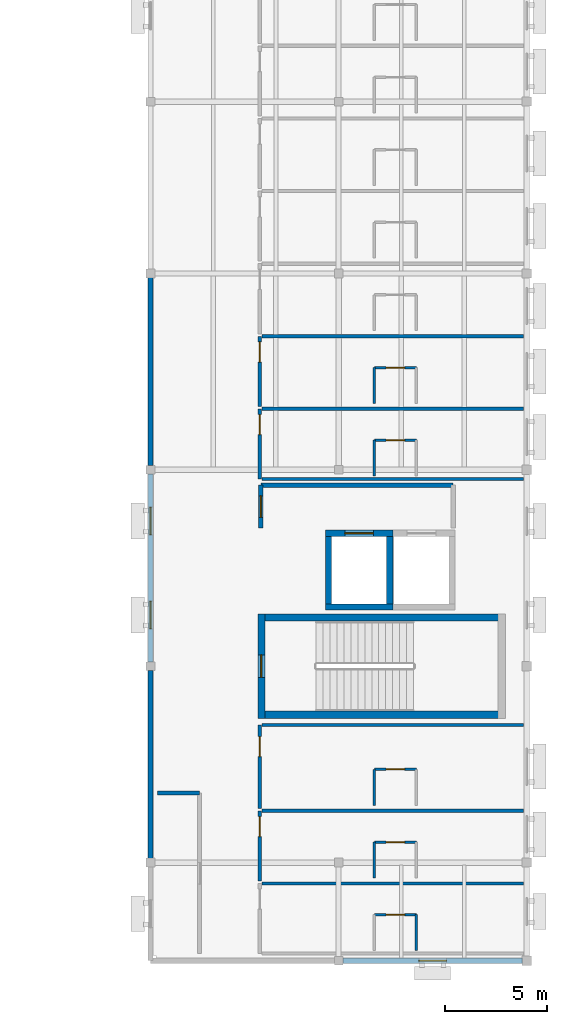
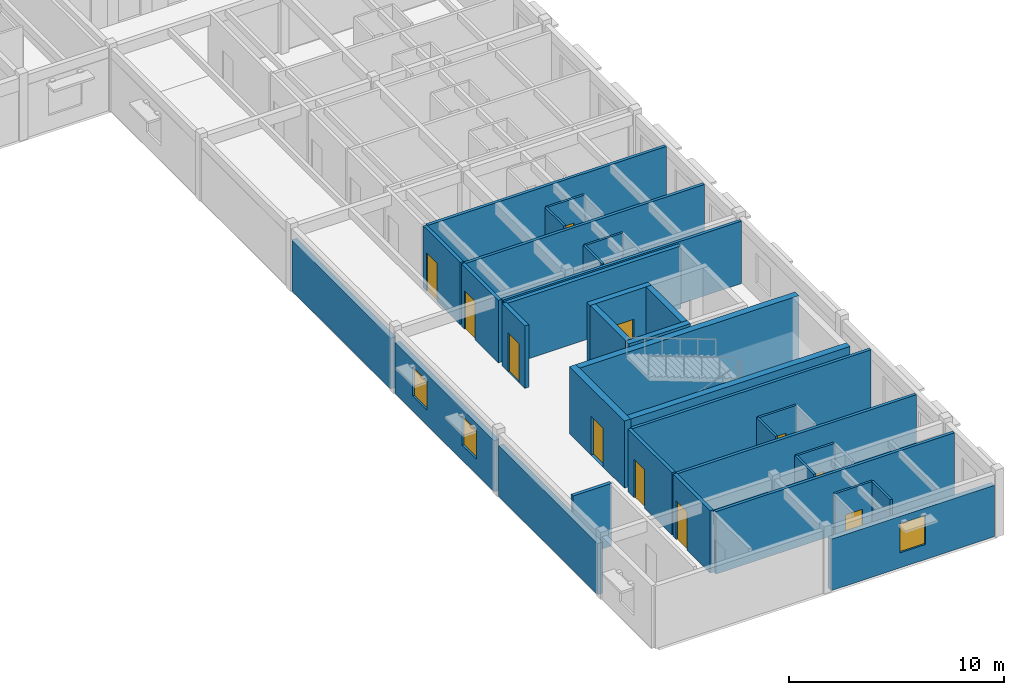
# One storey, part 5 of 14: 34 walls, 12 doors, 3 windows, 15 openings.
"""IFC4 building model written with IfcOpenShell, lengths in metres."""

from ifc_helpers import new_model, si_unit, direction, frame, frame_2d, origin, place, context, subcontext, project, spatial, rectangle, extrude, material, layer, layer_set, type_object, element, fill, save


model = new_model("IFC4")

# Units and contexts
model_context = context("Model", 3, precision=1e-05, world=origin(), true_north=direction((0.0, 1.0)))
body_context = subcontext(model_context, "Body", "Model", "MODEL_VIEW")
ifc_project = project(units=[si_unit("LENGTHUNIT", "METRE"), si_unit("AREAUNIT", "SQUARE_METRE"), si_unit("VOLUMEUNIT", "CUBIC_METRE"), si_unit("PLANEANGLEUNIT", "RADIAN"), si_unit("MASSUNIT", "GRAM", prefix="KILO")], contexts=[model_context])

# Site, building, storey
site_placement = place(None, origin())
site = spatial("IfcSite", under=ifc_project, at=site_placement, CompositionType="ELEMENT")
building_placement = place(site_placement, origin())
building = spatial("IfcBuilding", under=site, at=building_placement, Name="Veldera Park Congress Hotel", CompositionType="ELEMENT")
storey_placement = place(building_placement, frame((0.0, 0.0, 42.800048828125)))
storey = spatial("IfcBuildingStorey", under=building, at=storey_placement, Name="L10", CompositionType="ELEMENT", Elevation=42.800048828125)

# Wall, opening, window
ifc_material_1 = material(Name="Cross-laminated timber CLT V2M1.1", Category="wood")
ifc_layer_1 = layer(ifc_material_1, 0.264892578125)
ifc_layer_set_1 = layer_set([ifc_layer_1], Name="Cross-laminated timber CLT V2M1.1")
wall_type_1 = type_object("IfcWallType", Name="EW-CLT265", PredefinedType="STANDARD", material=ifc_layer_set_1)
wall_1_placement = place(storey_placement, frame((75.008056640625, -23.39990234375, 0.0), z_axis=(0.0, 0.0, 1.0), x_axis=(1.0, 0.0, 0.0)))
wall_1 = element("IfcWall", 1, at=wall_1_placement, inside=storey, type_object=wall_type_1, Name="L10 Exterior Wall EW3-L10-0424", PredefinedType="STANDARD", context=body_context, shape_type="SweptSolid", body=[
    extrude(rectangle(XDim=8.76904296875, YDim=0.264892578125, at=frame_2d((4.384521484375, 0.0))), origin(), (0.0, 0.0, 1.0), 2.9150390625),
])
opening_1_placement = place(wall_1_placement, frame((3.70947265625, 0.0, 0.85009765625)))
opening_1 = element("IfcOpeningElement", 2, at=opening_1_placement, cuts=wall_1, Name="Opening WIN-1350", PredefinedType="OPENING", context=body_context, shape_type="SweptSolid", body=[
    extrude(rectangle(XDim=1.35009765625, YDim=1.64990234375, at=frame_2d((0.675048828125, 0.824951171875))), frame((0.0, 0.14453125, 0.0), z_axis=(0.0, -1.0, 0.0), x_axis=(1.0, 0.0, 0.0)), (0.0, 0.0, 1.0), 0.288818359375),
])
ifc_material_2 = material(Name="Low-E Triple Insulating Glass Unit (SHGC 0.22)", Category="glass")
window_type = type_object("IfcWindowType", Name="WIN-1350", PartitioningType="SINGLE_PANEL", PredefinedType="WINDOW", material=ifc_material_2)
window_1_placement = place(opening_1_placement, origin())
window_1 = element("IfcWindow", 3, at=window_1_placement, inside=storey, type_object=window_type, Name="L10 Window WIN-1350 326", OverallHeight=1.64990234375, OverallWidth=1.35009765625, PartitioningType="SINGLE_PANEL", PredefinedType="WINDOW", context=body_context, shape_type="SweptSolid", body=[
    extrude(rectangle(XDim=1.35009765625, YDim=1.64990234375, at=frame_2d((0.675048828125, 0.824951171875))), frame((0.0, 0.030029296875, 0.0), z_axis=(0.0, -1.0, 0.0), x_axis=(1.0, 0.0, 0.0)), (0.0, 0.0, 1.0), 0.06005859375),
])
fill(opening_1, window_1)

# Wall
wall_2_placement = place(storey_placement, frame((65.60009765625, 9.991943359375, 0.0), z_axis=(0.0, 0.0, 1.0), x_axis=(0.0, -1.0, 0.0)))
element("IfcWall", 4, at=wall_2_placement, inside=storey, type_object=wall_type_1, Name="L10 Exterior Wall EW3-L10-0445", PredefinedType="STANDARD", context=body_context, shape_type="SweptSolid", body=[
    extrude(rectangle(XDim=9.183837890625, YDim=0.264892578125, at=frame_2d((4.591796875, 0.0))), origin(), (0.0, 0.0, 1.0), 2.89501953125),
])

# Wall, openings, windows
wall_3_placement = place(storey_placement, frame((65.60009765625, 0.39208984375, 0.0), z_axis=(0.0, 0.0, 1.0), x_axis=(0.0, -1.0, 0.0)))
wall_3 = element("IfcWall", 5, at=wall_3_placement, inside=storey, type_object=wall_type_1, Name="L10 Exterior Wall EW3-L10-0446", PredefinedType="STANDARD", context=body_context, shape_type="SweptSolid", body=[
    extrude(rectangle(XDim=9.18408203125, YDim=0.264892578125, at=frame_2d((4.592041015625, 0.0))), origin(), (0.0, 0.0, 1.0), 2.89501953125),
])
opening_2_placement = place(wall_3_placement, frame((1.62109375, 0.0, 0.85009765625)))
opening_2 = element("IfcOpeningElement", 6, at=opening_2_placement, cuts=wall_3, Name="Opening WIN-1350", PredefinedType="OPENING", context=body_context, shape_type="SweptSolid", body=[
    extrude(rectangle(XDim=1.35009765625, YDim=1.64990234375, at=frame_2d((0.675048828125, 0.824951171875))), frame((0.0, 0.14453125, 0.0), z_axis=(0.0, -1.0, 0.0), x_axis=(1.0, 0.0, 0.0)), (0.0, 0.0, 1.0), 0.288818359375),
])
opening_3_placement = place(wall_3_placement, frame((6.212890625, 0.0, 0.85009765625)))
opening_3 = element("IfcOpeningElement", 7, at=opening_3_placement, cuts=wall_3, Name="Opening WIN-1350", PredefinedType="OPENING", context=body_context, shape_type="SweptSolid", body=[
    extrude(rectangle(XDim=1.35009765625, YDim=1.64990234375, at=frame_2d((0.675048828125, 0.824951171875))), frame((0.0, 0.14453125, 0.0), z_axis=(0.0, -1.0, 0.0), x_axis=(1.0, 0.0, 0.0)), (0.0, 0.0, 1.0), 0.288818359375),
])
window_2_placement = place(opening_2_placement, origin())
window_2 = element("IfcWindow", 8, at=window_2_placement, inside=storey, type_object=window_type, Name="L10 Window WIN-1350 340", OverallHeight=1.64990234375, OverallWidth=1.35009765625, PartitioningType="SINGLE_PANEL", PredefinedType="WINDOW", context=body_context, shape_type="SweptSolid", body=[
    extrude(rectangle(XDim=1.35009765625, YDim=1.64990234375, at=frame_2d((0.675048828125, 0.824951171875))), frame((0.0, 0.030029296875, 0.0), z_axis=(0.0, -1.0, 0.0), x_axis=(1.0, 0.0, 0.0)), (0.0, 0.0, 1.0), 0.06005859375),
])
fill(opening_2, window_2)
window_3_placement = place(opening_3_placement, origin())
window_3 = element("IfcWindow", 9, at=window_3_placement, inside=storey, type_object=window_type, Name="L10 Window WIN-1350 341", OverallHeight=1.64990234375, OverallWidth=1.35009765625, PartitioningType="SINGLE_PANEL", PredefinedType="WINDOW", context=body_context, shape_type="SweptSolid", body=[
    extrude(rectangle(XDim=1.35009765625, YDim=1.64990234375, at=frame_2d((0.675048828125, 0.824951171875))), frame((0.0, 0.030029296875, 0.0), z_axis=(0.0, -1.0, 0.0), x_axis=(1.0, 0.0, 0.0)), (0.0, 0.0, 1.0), 0.06005859375),
])
fill(opening_3, window_3)

# Walls
wall_4_placement = place(storey_placement, frame((65.60009765625, -9.2080078125, 0.0), z_axis=(0.0, 0.0, 1.0), x_axis=(0.0, -1.0, 0.0)))
element("IfcWall", 10, at=wall_4_placement, inside=storey, type_object=wall_type_1, Name="L10 Exterior Wall EW3-L10-0447", PredefinedType="STANDARD", context=body_context, shape_type="SweptSolid", body=[
    extrude(rectangle(XDim=9.18408203125, YDim=0.264892578125, at=frame_2d((4.592041015625, 0.0))), origin(), (0.0, 0.0, 1.0), 2.89501953125),
])
ifc_material_3 = material(Name="Fire-Rated Gypsum Board on Cold-Formed Steel Studs", Category="steel")
ifc_layer_2 = layer(ifc_material_3, 0.1201171875)
ifc_layer_set_2 = layer_set([ifc_layer_2], Name="Fire-Rated Gypsum Board on Cold-Formed Steel Studs")
wall_type_2 = type_object("IfcWallType", Name="IW-BATH120", PredefinedType="PARTITIONING", material=ifc_layer_set_2)
wall_5_placement = place(storey_placement, frame((78.60009765625, -22.89990234375, 0.0), z_axis=(0.0, 0.0, 1.0), x_axis=(0.0, 1.0, 0.0)))
element("IfcWall", 11, at=wall_5_placement, inside=storey, type_object=wall_type_2, Name="L10 Partition Wall IW3-L10-01692", PredefinedType="PARTITIONING", context=body_context, shape_type="SweptSolid", body=[
    extrude(rectangle(XDim=1.75, YDim=0.1201171875, at=frame_2d((0.875, 0.0))), origin(), (0.0, 0.0, 1.0), 3.5400390625),
])

# Wall, opening, door
wall_6_placement = place(storey_placement, frame((76.550048828125, -21.14990234375, 0.0), z_axis=(0.0, 0.0, 1.0), x_axis=(1.0, 0.0, 0.0)))
wall_6 = element("IfcWall", 12, at=wall_6_placement, inside=storey, type_object=wall_type_2, Name="L10 Partition Wall IW3-L10-01693", PredefinedType="PARTITIONING", context=body_context, shape_type="SweptSolid", body=[
    extrude(rectangle(XDim=2.050048828125, YDim=0.1201171875, at=frame_2d((1.02490234375, 0.0))), origin(), (0.0, 0.0, 1.0), 3.5400390625),
])
opening_4_placement = place(wall_6_placement, frame((0.574951171875, 0.0, 0.0)))
opening_4 = element("IfcOpeningElement", 13, at=opening_4_placement, cuts=wall_6, Name="Opening ID-BATH090", PredefinedType="OPENING", context=body_context, shape_type="SweptSolid", body=[
    extrude(rectangle(XDim=0.89990234375, YDim=2.14990234375, at=frame_2d((0.449951171875, 1.074951171875))), frame((0.0, 0.072021484375, 0.0), z_axis=(0.0, -1.0, 0.0), x_axis=(1.0, 0.0, 0.0)), (0.0, 0.0, 1.0), 0.14404296875),
])
ifc_material_4 = material(Name="Solid Core White Oak Architectural Door", Category="wood")
door_type_1 = type_object("IfcDoorType", Name="ID-BATH090", OperationType="NOTDEFINED", PredefinedType="DOOR", material=ifc_material_4)
door_1_placement = place(opening_4_placement, origin())
door_1 = element("IfcDoor", 14, at=door_1_placement, inside=storey, type_object=door_type_1, Name="L10 En-suite 278 Door ID3-L10-0695 (DR3-ID3-L10-0695)", OperationType="SINGLE_SWING_LEFT", OverallHeight=2.14990234375, OverallWidth=0.89990234375, PredefinedType="DOOR", context=body_context, shape_type="SweptSolid", body=[
    extrude(rectangle(XDim=0.89990234375, YDim=2.14990234375, at=frame_2d((0.449951171875, 1.074951171875))), frame((0.0, 0.02490234375, 0.0), z_axis=(0.0, -1.0, 0.0), x_axis=(1.0, 0.0, 0.0)), (0.0, 0.0, 1.0), 0.050048828125),
])
fill(opening_4, door_1)

# Wall
wall_7_placement = place(storey_placement, frame((76.550048828125, -19.35009765625, 0.0), z_axis=(0.0, 0.0, 1.0), x_axis=(0.0, 1.0, 0.0)))
element("IfcWall", 15, at=wall_7_placement, inside=storey, type_object=wall_type_2, Name="L10 Partition Wall IW3-L10-01696", PredefinedType="PARTITIONING", context=body_context, shape_type="SweptSolid", body=[
    extrude(rectangle(XDim=1.75, YDim=0.1201171875, at=frame_2d((0.875, 0.0))), origin(), (0.0, 0.0, 1.0), 3.5400390625),
])

# Wall, opening, door
wall_8_placement = place(storey_placement, frame((76.550048828125, -17.60009765625, 0.0), z_axis=(0.0, 0.0, 1.0), x_axis=(1.0, 0.0, 0.0)))
wall_8 = element("IfcWall", 16, at=wall_8_placement, inside=storey, type_object=wall_type_2, Name="L10 Partition Wall IW3-L10-01698", PredefinedType="PARTITIONING", context=body_context, shape_type="SweptSolid", body=[
    extrude(rectangle(XDim=2.050048828125, YDim=0.1201171875, at=frame_2d((1.02490234375, 0.0))), origin(), (0.0, 0.0, 1.0), 3.5400390625),
])
opening_5_placement = place(wall_8_placement, frame((0.574951171875, 0.0, 0.0)))
opening_5 = element("IfcOpeningElement", 17, at=opening_5_placement, cuts=wall_8, Name="Opening ID-BATH090", PredefinedType="OPENING", context=body_context, shape_type="SweptSolid", body=[
    extrude(rectangle(XDim=0.89990234375, YDim=2.14990234375, at=frame_2d((0.449951171875, 1.074951171875))), frame((0.0, 0.072021484375, 0.0), z_axis=(0.0, -1.0, 0.0), x_axis=(1.0, 0.0, 0.0)), (0.0, 0.0, 1.0), 0.14404296875),
])
door_2_placement = place(opening_5_placement, origin())
door_2 = element("IfcDoor", 18, at=door_2_placement, inside=storey, type_object=door_type_1, Name="L10 En-suite 279 Door ID3-L10-0697 (DR3-ID3-L10-0697)", OperationType="SINGLE_SWING_LEFT", OverallHeight=2.14990234375, OverallWidth=0.89990234375, PredefinedType="DOOR", context=body_context, shape_type="SweptSolid", body=[
    extrude(rectangle(XDim=0.89990234375, YDim=2.14990234375, at=frame_2d((0.449951171875, 1.074951171875))), frame((0.0, 0.02490234375, 0.0), z_axis=(0.0, -1.0, 0.0), x_axis=(1.0, 0.0, 0.0)), (0.0, 0.0, 1.0), 0.050048828125),
])
fill(opening_5, door_2)

# Wall
wall_9_placement = place(storey_placement, frame((76.550048828125, -15.800048828125, 0.0), z_axis=(0.0, 0.0, 1.0), x_axis=(0.0, 1.0, 0.0)))
element("IfcWall", 19, at=wall_9_placement, inside=storey, type_object=wall_type_2, Name="L10 Partition Wall IW3-L10-01701", PredefinedType="PARTITIONING", context=body_context, shape_type="SweptSolid", body=[
    extrude(rectangle(XDim=1.75, YDim=0.1201171875, at=frame_2d((0.875, 0.0))), origin(), (0.0, 0.0, 1.0), 3.5400390625),
])

# Wall, opening, door
wall_10_placement = place(storey_placement, frame((76.550048828125, -14.050048828125, 0.0), z_axis=(0.0, 0.0, 1.0), x_axis=(1.0, 0.0, 0.0)))
wall_10 = element("IfcWall", 20, at=wall_10_placement, inside=storey, type_object=wall_type_2, Name="L10 Partition Wall IW3-L10-01703", PredefinedType="PARTITIONING", context=body_context, shape_type="SweptSolid", body=[
    extrude(rectangle(XDim=2.050048828125, YDim=0.1201171875, at=frame_2d((1.02490234375, 0.0))), origin(), (0.0, 0.0, 1.0), 3.5400390625),
])
opening_6_placement = place(wall_10_placement, frame((0.574951171875, 0.0, 0.0)))
opening_6 = element("IfcOpeningElement", 21, at=opening_6_placement, cuts=wall_10, Name="Opening ID-BATH090", PredefinedType="OPENING", context=body_context, shape_type="SweptSolid", body=[
    extrude(rectangle(XDim=0.89990234375, YDim=2.14990234375, at=frame_2d((0.449951171875, 1.074951171875))), frame((0.0, 0.072021484375, 0.0), z_axis=(0.0, -1.0, 0.0), x_axis=(1.0, 0.0, 0.0)), (0.0, 0.0, 1.0), 0.14404296875),
])
door_3_placement = place(opening_6_placement, origin())
door_3 = element("IfcDoor", 22, at=door_3_placement, inside=storey, type_object=door_type_1, Name="L10 En-suite 280 Door ID3-L10-0699 (DR3-ID3-L10-0699)", OperationType="SINGLE_SWING_LEFT", OverallHeight=2.14990234375, OverallWidth=0.89990234375, PredefinedType="DOOR", context=body_context, shape_type="SweptSolid", body=[
    extrude(rectangle(XDim=0.89990234375, YDim=2.14990234375, at=frame_2d((0.449951171875, 1.074951171875))), frame((0.0, 0.02490234375, 0.0), z_axis=(0.0, -1.0, 0.0), x_axis=(1.0, 0.0, 0.0)), (0.0, 0.0, 1.0), 0.050048828125),
])
fill(opening_6, door_3)

# Wall
wall_11_placement = place(storey_placement, frame((76.550048828125, 0.300048828125, 0.0), z_axis=(0.0, 0.0, 1.0), x_axis=(0.0, 1.0, 0.0)))
element("IfcWall", 23, at=wall_11_placement, inside=storey, type_object=wall_type_2, Name="L10 Partition Wall IW3-L10-01707", PredefinedType="PARTITIONING", context=body_context, shape_type="SweptSolid", body=[
    extrude(rectangle(XDim=1.75, YDim=0.1201171875, at=frame_2d((0.875, 0.0))), origin(), (0.0, 0.0, 1.0), 3.5400390625),
])

# Wall, opening, door
wall_12_placement = place(storey_placement, frame((76.550048828125, 2.050048828125, 0.0), z_axis=(0.0, 0.0, 1.0), x_axis=(1.0, 0.0, 0.0)))
wall_12 = element("IfcWall", 24, at=wall_12_placement, inside=storey, type_object=wall_type_2, Name="L10 Partition Wall IW3-L10-01709", PredefinedType="PARTITIONING", context=body_context, shape_type="SweptSolid", body=[
    extrude(rectangle(XDim=2.050048828125, YDim=0.1201171875, at=frame_2d((1.02490234375, 0.0))), origin(), (0.0, 0.0, 1.0), 3.5400390625),
])
opening_7_placement = place(wall_12_placement, frame((0.574951171875, 0.0, 0.0)))
opening_7 = element("IfcOpeningElement", 25, at=opening_7_placement, cuts=wall_12, Name="Opening ID-BATH090", PredefinedType="OPENING", context=body_context, shape_type="SweptSolid", body=[
    extrude(rectangle(XDim=0.89990234375, YDim=2.14990234375, at=frame_2d((0.449951171875, 1.074951171875))), frame((0.0, 0.072021484375, 0.0), z_axis=(0.0, -1.0, 0.0), x_axis=(1.0, 0.0, 0.0)), (0.0, 0.0, 1.0), 0.14404296875),
])
door_4_placement = place(opening_7_placement, origin())
door_4 = element("IfcDoor", 26, at=door_4_placement, inside=storey, type_object=door_type_1, Name="L10 En-suite 281 Door ID3-L10-0701 (DR3-ID3-L10-0701)", OperationType="SINGLE_SWING_LEFT", OverallHeight=2.14990234375, OverallWidth=0.89990234375, PredefinedType="DOOR", context=body_context, shape_type="SweptSolid", body=[
    extrude(rectangle(XDim=0.89990234375, YDim=2.14990234375, at=frame_2d((0.449951171875, 1.074951171875))), frame((0.0, 0.02490234375, 0.0), z_axis=(0.0, -1.0, 0.0), x_axis=(1.0, 0.0, 0.0)), (0.0, 0.0, 1.0), 0.050048828125),
])
fill(opening_7, door_4)

# Wall
wall_13_placement = place(storey_placement, frame((76.550048828125, 3.85009765625, 0.0), z_axis=(0.0, 0.0, 1.0), x_axis=(0.0, 1.0, 0.0)))
element("IfcWall", 27, at=wall_13_placement, inside=storey, type_object=wall_type_2, Name="L10 Partition Wall IW3-L10-01712", PredefinedType="PARTITIONING", context=body_context, shape_type="SweptSolid", body=[
    extrude(rectangle(XDim=1.75, YDim=0.1201171875, at=frame_2d((0.875, 0.0))), origin(), (0.0, 0.0, 1.0), 3.5400390625),
])

# Wall, opening, door
wall_14_placement = place(storey_placement, frame((76.550048828125, 5.60009765625, 0.0), z_axis=(0.0, 0.0, 1.0), x_axis=(1.0, 0.0, 0.0)))
wall_14 = element("IfcWall", 28, at=wall_14_placement, inside=storey, type_object=wall_type_2, Name="L10 Partition Wall IW3-L10-01714", PredefinedType="PARTITIONING", context=body_context, shape_type="SweptSolid", body=[
    extrude(rectangle(XDim=2.050048828125, YDim=0.1201171875, at=frame_2d((1.02490234375, 0.0))), origin(), (0.0, 0.0, 1.0), 3.5400390625),
])
opening_8_placement = place(wall_14_placement, frame((0.574951171875, 0.0, 0.0)))
opening_8 = element("IfcOpeningElement", 29, at=opening_8_placement, cuts=wall_14, Name="Opening ID-BATH090", PredefinedType="OPENING", context=body_context, shape_type="SweptSolid", body=[
    extrude(rectangle(XDim=0.89990234375, YDim=2.14990234375, at=frame_2d((0.449951171875, 1.074951171875))), frame((0.0, 0.072021484375, 0.0), z_axis=(0.0, -1.0, 0.0), x_axis=(1.0, 0.0, 0.0)), (0.0, 0.0, 1.0), 0.14404296875),
])
door_5_placement = place(opening_8_placement, origin())
door_5 = element("IfcDoor", 30, at=door_5_placement, inside=storey, type_object=door_type_1, Name="L10 En-suite 282 Door ID3-L10-0703 (DR3-ID3-L10-0703)", OperationType="SINGLE_SWING_LEFT", OverallHeight=2.14990234375, OverallWidth=0.89990234375, PredefinedType="DOOR", context=body_context, shape_type="SweptSolid", body=[
    extrude(rectangle(XDim=0.89990234375, YDim=2.14990234375, at=frame_2d((0.449951171875, 1.074951171875))), frame((0.0, 0.02490234375, 0.0), z_axis=(0.0, -1.0, 0.0), x_axis=(1.0, 0.0, 0.0)), (0.0, 0.0, 1.0), 0.050048828125),
])
fill(opening_8, door_5)

# Wall
ifc_layer_3 = layer(ifc_material_3, 0.179931640625)
ifc_layer_set_3 = layer_set([ifc_layer_3], Name="Fire-Rated Gypsum Board on Cold-Formed Steel Studs")
wall_type_3 = type_object("IfcWallType", Name="IW-CORR180", PredefinedType="PARTITIONING", material=ifc_layer_set_3)
wall_15_placement = place(storey_placement, frame((68.0, -15.199951171875, 0.0), z_axis=(0.0, 0.0, 1.0), x_axis=(-1.0, 0.0, 0.0)))
element("IfcWall", 31, at=wall_15_placement, inside=storey, type_object=wall_type_3, Name="L10 Partition Wall IW3-L10-00344", PredefinedType="PARTITIONING", context=body_context, shape_type="SweptSolid", body=[
    extrude(rectangle(XDim=2.050048828125, YDim=0.179931640625, at=frame_2d((1.02490234375, 0.0))), origin(), (0.0, 0.0, 1.0), 3.5400390625),
])

# Wall, opening, door
wall_16_placement = place(storey_placement, frame((70.949951171875, -16.070068359375, 0.0), z_axis=(0.0, 0.0, 1.0), x_axis=(0.0, -1.0, 0.0)))
wall_16 = element("IfcWall", 32, at=wall_16_placement, inside=storey, type_object=wall_type_3, Name="L10 Corridor Wall IW3-L10-01694", PredefinedType="PARTITIONING", context=body_context, shape_type="SweptSolid", body=[
    extrude(rectangle(XDim=3.429931640625, YDim=0.179931640625, at=frame_2d((1.71484375, 0.0))), origin(), (0.0, 0.0, 1.0), 3.5400390625),
])
opening_9_placement = place(wall_16_placement, frame((0.280029296875, 0.0, 0.0)))
opening_9 = element("IfcOpeningElement", 33, at=opening_9_placement, cuts=wall_16, Name="Opening ID-UNIT098", PredefinedType="OPENING", context=body_context, shape_type="SweptSolid", body=[
    extrude(rectangle(XDim=0.97998046875, YDim=2.179931640625, at=frame_2d((0.489990234375, 1.08984375))), frame((0.0, 0.10205078125, 0.0), z_axis=(0.0, -1.0, 0.0), x_axis=(1.0, 0.0, 0.0)), (0.0, 0.0, 1.0), 0.203857421875),
])
door_type_2 = type_object("IfcDoorType", Name="ID-UNIT098", OperationType="NOTDEFINED", PredefinedType="DOOR", material=ifc_material_4)
door_6_placement = place(opening_9_placement, origin())
door_6 = element("IfcDoor", 34, at=door_6_placement, inside=storey, type_object=door_type_2, Name="L10 Guestroom 279 Entry Door (DR3-UD3-L10-279)", OperationType="SINGLE_SWING_RIGHT", OverallHeight=2.179931640625, OverallWidth=0.97998046875, PredefinedType="DOOR", context=body_context, shape_type="SweptSolid", body=[
    extrude(rectangle(XDim=0.97998046875, YDim=2.179931640625, at=frame_2d((0.489990234375, 1.08984375))), frame((0.0, 0.02490234375, 0.0), z_axis=(0.0, -1.0, 0.0), x_axis=(1.0, 0.0, 0.0)), (0.0, 0.0, 1.0), 0.050048828125),
])
fill(opening_9, door_6)

wall_17_placement = place(storey_placement, frame((70.949951171875, -11.8701171875, 0.0), z_axis=(0.0, 0.0, 1.0), x_axis=(0.0, -1.0, 0.0)))
wall_17 = element("IfcWall", 35, at=wall_17_placement, inside=storey, type_object=wall_type_3, Name="L10 Corridor Wall IW3-L10-01699", PredefinedType="PARTITIONING", context=body_context, shape_type="SweptSolid", body=[
    extrude(rectangle(XDim=4.079833984375, YDim=0.179931640625, at=frame_2d((2.0400390625, 0.0))), origin(), (0.0, 0.0, 1.0), 3.5400390625),
])
opening_10_placement = place(wall_17_placement, frame((0.570068359375, 0.0, 0.0)))
opening_10 = element("IfcOpeningElement", 36, at=opening_10_placement, cuts=wall_17, Name="Opening ID-UNIT098", PredefinedType="OPENING", context=body_context, shape_type="SweptSolid", body=[
    extrude(rectangle(XDim=0.97998046875, YDim=2.179931640625, at=frame_2d((0.489990234375, 1.08984375))), frame((0.0, 0.10205078125, 0.0), z_axis=(0.0, -1.0, 0.0), x_axis=(1.0, 0.0, 0.0)), (0.0, 0.0, 1.0), 0.203857421875),
])
door_7_placement = place(opening_10_placement, origin())
door_7 = element("IfcDoor", 37, at=door_7_placement, inside=storey, type_object=door_type_2, Name="L10 Guestroom 280 Entry Door (DR3-UD3-L10-280)", OperationType="SINGLE_SWING_RIGHT", OverallHeight=2.179931640625, OverallWidth=0.97998046875, PredefinedType="DOOR", context=body_context, shape_type="SweptSolid", body=[
    extrude(rectangle(XDim=0.97998046875, YDim=2.179931640625, at=frame_2d((0.489990234375, 1.08984375))), frame((0.0, 0.02490234375, 0.0), z_axis=(0.0, -1.0, 0.0), x_axis=(1.0, 0.0, 0.0)), (0.0, 0.0, 1.0), 0.050048828125),
])
fill(opening_10, door_7)

wall_18_placement = place(storey_placement, frame((70.949951171875, 3.580078125, 0.0), z_axis=(0.0, 0.0, 1.0), x_axis=(0.0, -1.0, 0.0)))
wall_18 = element("IfcWall", 38, at=wall_18_placement, inside=storey, type_object=wall_type_3, Name="L10 Corridor Wall IW3-L10-01704", PredefinedType="PARTITIONING", context=body_context, shape_type="SweptSolid", body=[
    extrude(rectangle(XDim=3.43017578125, YDim=0.179931640625, at=frame_2d((1.715087890625, 0.0))), origin(), (0.0, 0.0, 1.0), 3.5400390625),
])
opening_11_placement = place(wall_18_placement, frame((0.280029296875, 0.0, 0.0)))
opening_11 = element("IfcOpeningElement", 39, at=opening_11_placement, cuts=wall_18, Name="Opening ID-UNIT098", PredefinedType="OPENING", context=body_context, shape_type="SweptSolid", body=[
    extrude(rectangle(XDim=0.97998046875, YDim=2.179931640625, at=frame_2d((0.489990234375, 1.08984375))), frame((0.0, 0.10205078125, 0.0), z_axis=(0.0, -1.0, 0.0), x_axis=(1.0, 0.0, 0.0)), (0.0, 0.0, 1.0), 0.203857421875),
])
door_8_placement = place(opening_11_placement, origin())
door_8 = element("IfcDoor", 40, at=door_8_placement, inside=storey, type_object=door_type_2, Name="L10 Guestroom 281 Entry Door (DR3-UD3-L10-281)", OperationType="SINGLE_SWING_RIGHT", OverallHeight=2.179931640625, OverallWidth=0.97998046875, PredefinedType="DOOR", context=body_context, shape_type="SweptSolid", body=[
    extrude(rectangle(XDim=0.97998046875, YDim=2.179931640625, at=frame_2d((0.489990234375, 1.08984375))), frame((0.0, 0.02490234375, 0.0), z_axis=(0.0, -1.0, 0.0), x_axis=(1.0, 0.0, 0.0)), (0.0, 0.0, 1.0), 0.050048828125),
])
fill(opening_11, door_8)

wall_19_placement = place(storey_placement, frame((70.949951171875, 7.1298828125, 0.0), z_axis=(0.0, 0.0, 1.0), x_axis=(0.0, -1.0, 0.0)))
wall_19 = element("IfcWall", 41, at=wall_19_placement, inside=storey, type_object=wall_type_3, Name="L10 Corridor Wall IW3-L10-01710", PredefinedType="PARTITIONING", context=body_context, shape_type="SweptSolid", body=[
    extrude(rectangle(XDim=3.429931640625, YDim=0.179931640625, at=frame_2d((1.71484375, 0.0))), origin(), (0.0, 0.0, 1.0), 3.5400390625),
])
opening_12_placement = place(wall_19_placement, frame((0.280029296875, 0.0, 0.0)))
opening_12 = element("IfcOpeningElement", 42, at=opening_12_placement, cuts=wall_19, Name="Opening ID-UNIT098", PredefinedType="OPENING", context=body_context, shape_type="SweptSolid", body=[
    extrude(rectangle(XDim=0.97998046875, YDim=2.179931640625, at=frame_2d((0.489990234375, 1.08984375))), frame((0.0, 0.10205078125, 0.0), z_axis=(0.0, -1.0, 0.0), x_axis=(1.0, 0.0, 0.0)), (0.0, 0.0, 1.0), 0.203857421875),
])
door_9_placement = place(opening_12_placement, origin())
door_9 = element("IfcDoor", 43, at=door_9_placement, inside=storey, type_object=door_type_2, Name="L10 Guestroom 282 Entry Door (DR3-UD3-L10-282)", OperationType="SINGLE_SWING_RIGHT", OverallHeight=2.179931640625, OverallWidth=0.97998046875, PredefinedType="DOOR", context=body_context, shape_type="SweptSolid", body=[
    extrude(rectangle(XDim=0.97998046875, YDim=2.179931640625, at=frame_2d((0.489990234375, 1.08984375))), frame((0.0, 0.02490234375, 0.0), z_axis=(0.0, -1.0, 0.0), x_axis=(1.0, 0.0, 0.0)), (0.0, 0.0, 1.0), 0.050048828125),
])
fill(opening_12, door_9)

# Wall
ifc_material_5 = material(Name="Concrete f'c 40 MPa (5,800 psi)", Category="concrete")
ifc_layer_4 = layer(ifc_material_5, 0.219970703125)
ifc_layer_set_4 = layer_set([ifc_layer_4], Name="Concrete f'c 40 MPa (5,800 psi)")
wall_type_4 = type_object("IfcWallType", Name="IW-FIRE220", PredefinedType="STANDARD", material=ifc_layer_set_4)
wall_20_placement = place(storey_placement, frame((80.39990234375, -0.14990234375, 0.0), z_axis=(0.0, 0.0, 1.0), x_axis=(-1.0, 0.0, 0.0)))
element("IfcWall", 44, at=wall_20_placement, inside=storey, type_object=wall_type_4, Name="L10 Partition Wall IW3-L10-00335", PredefinedType="STANDARD", context=body_context, shape_type="SweptSolid", body=[
    extrude(rectangle(XDim=9.39990234375, YDim=0.219970703125, at=frame_2d((4.699951171875, 0.0))), origin(), (0.0, 0.0, 1.0), 3.5400390625),
])

# Wall, opening, door
wall_21_placement = place(storey_placement, frame((71.0, -0.14990234375, 0.0), z_axis=(0.0, 0.0, 1.0), x_axis=(0.0, -1.0, 0.0)))
wall_21 = element("IfcWall", 45, at=wall_21_placement, inside=storey, type_object=wall_type_4, Name="L10 Partition Wall IW3-L10-00336", PredefinedType="STANDARD", context=body_context, shape_type="SweptSolid", body=[
    extrude(rectangle(XDim=2.10009765625, YDim=0.219970703125, at=frame_2d((1.050048828125, 0.0))), origin(), (0.0, 0.0, 1.0), 3.5400390625),
])
opening_13_placement = place(wall_21_placement, frame((0.52490234375, 0.0, 0.0)))
opening_13 = element("IfcOpeningElement", 46, at=opening_13_placement, cuts=wall_21, Name="Opening ID-MEET105", PredefinedType="OPENING", context=body_context, shape_type="SweptSolid", body=[
    extrude(rectangle(XDim=1.050048828125, YDim=2.199951171875, at=frame_2d((0.52490234375, 1.10009765625))), frame((0.0, 0.1220703125, 0.0), z_axis=(0.0, -1.0, 0.0), x_axis=(1.0, 0.0, 0.0)), (0.0, 0.0, 1.0), 0.243896484375),
])
door_type_3 = type_object("IfcDoorType", Name="ID-MEET105", OperationType="NOTDEFINED", PredefinedType="DOOR", material=ifc_material_4)
door_10_placement = place(opening_13_placement, origin())
door_10 = element("IfcDoor", 47, at=door_10_placement, inside=storey, type_object=door_type_3, Name="L10 Service Lift Lobby Door ID3-L10-0127 (DR3-ID3-L10-0127)", OperationType="SINGLE_SWING_RIGHT", OverallHeight=2.199951171875, OverallWidth=1.050048828125, PredefinedType="DOOR", context=body_context, shape_type="SweptSolid", body=[
    extrude(rectangle(XDim=1.050048828125, YDim=2.199951171875, at=frame_2d((0.52490234375, 1.10009765625))), frame((0.0, 0.02490234375, 0.0), z_axis=(0.0, -1.0, 0.0), x_axis=(1.0, 0.0, 0.0)), (0.0, 0.0, 1.0), 0.050048828125),
])
fill(opening_13, door_10)

# Walls
ifc_layer_5 = layer(ifc_material_1, 0.159912109375)
ifc_layer_set_5 = layer_set([ifc_layer_5], Name="Cross-laminated timber CLT V2M1.1")
wall_type_5 = type_object("IfcWallType", Name="IW-UNIT160", PredefinedType="PARTITIONING", material=ifc_layer_set_5)
for number, where, z_axis, x_axis, name in (
    (48, (71.050048828125, -19.6201171875, 0.0), (0.0, 0.0, 1.0), (1.0, 0.0, 0.0), "L10 Partition Wall IW3-L10-01690"),
    (49, (71.050048828125, -16.070068359375, 0.0), (0.0, 0.0, 1.0), (1.0, 0.0, 0.0), "L10 Partition Wall IW3-L10-01695"),
    (50, (71.050048828125, -11.8701171875, 0.0), (0.0, 0.0, 1.0), (1.0, 0.0, 0.0), "L10 Partition Wall IW3-L10-01700"),
    (51, (71.050048828125, 0.14990234375, 0.0), (0.0, 0.0, 1.0), (1.0, 0.0, 0.0), "L10 Partition Wall IW3-L10-01705"),
    (52, (71.050048828125, 3.580078125, 0.0), (0.0, 0.0, 1.0), (1.0, 0.0, 0.0), "L10 Partition Wall IW3-L10-01706"),
    (53, (71.050048828125, 7.1298828125, 0.0), (0.0, 0.0, 1.0), (1.0, 0.0, 0.0), "L10 Partition Wall IW3-L10-01711"),
):
    element("IfcWall", number, at=place(storey_placement, frame(where, z_axis=z_axis, x_axis=x_axis)), inside=storey, type_object=wall_type_5, Name=name, PredefinedType="PARTITIONING", context=body_context, shape_type="SweptSolid", body=[
        extrude(rectangle(XDim=12.7900390625, YDim=0.159912109375, at=frame_2d((6.39501953125, 0.0))), origin(), (0.0, 0.0, 1.0), 3.5400390625),
    ])
ifc_layer_6 = layer(ifc_material_5, 0.35009765625)
ifc_layer_set_6 = layer_set([ifc_layer_6], Name="Concrete f'c 40 MPa (5,800 psi)")
wall_type_6 = type_object("IfcWallType", Name="SW-CORE350", PredefinedType="SHEAR", material=ifc_layer_set_6)
for number, where, z_axis, x_axis, name in (
    (54, (70.85009765625, -11.375, 0.0), (0.0, 0.0, 1.0), (1.0, 0.0, 0.0), "Stair ST2 Core Wall L10-S"),
    (55, (82.949951171875, -6.625, 0.0), (0.0, 0.0, 1.0), (-1.0, 0.0, 0.0), "Stair ST2 Core Wall L10-N"),
):
    element("IfcWall", number, at=place(storey_placement, frame(where, z_axis=z_axis, x_axis=x_axis)), inside=storey, type_object=wall_type_6, Name=name, PredefinedType="SHEAR", context=body_context, shape_type="SweptSolid", body=[
        extrude(rectangle(XDim=12.099853515625, YDim=0.35009765625, at=frame_2d((6.0498046875, 0.0))), origin(), (0.0, 0.0, 1.0), 3.800048828125),
    ])

# Wall, opening, door
wall_22_placement = place(storey_placement, frame((71.02490234375, -6.449951171875, 0.0), z_axis=(0.0, 0.0, 1.0), x_axis=(0.0, -1.0, 0.0)))
wall_22 = element("IfcWall", 56, at=wall_22_placement, inside=storey, type_object=wall_type_6, Name="Stair ST2 Core Wall L10-W", PredefinedType="SHEAR", context=body_context, shape_type="SweptSolid", body=[
    extrude(rectangle(XDim=5.10009765625, YDim=0.35009765625, at=frame_2d((2.550048828125, 0.0))), origin(), (0.0, 0.0, 1.0), 3.800048828125),
])
opening_14_placement = place(wall_22_placement, frame((2.0, 0.0, 0.0)))
opening_14 = element("IfcOpeningElement", 57, at=opening_14_placement, cuts=wall_22, Name="Opening ID-STAIR110", PredefinedType="OPENING", context=body_context, shape_type="SweptSolid", body=[
    extrude(rectangle(XDim=1.10009765625, YDim=2.199951171875, at=frame_2d((0.550048828125, 1.10009765625))), frame((0.0, 0.18701171875, 0.0), z_axis=(0.0, -1.0, 0.0), x_axis=(1.0, 0.0, 0.0)), (0.0, 0.0, 1.0), 0.3740234375),
])
ifc_material_6 = material(Name="Hollow Metal Fire-Rated Steel Door", Category="steel")
door_type_4 = type_object("IfcDoorType", Name="ID-STAIR110", OperationType="NOTDEFINED", PredefinedType="DOOR", material=ifc_material_6)
door_11_placement = place(opening_14_placement, origin())
door_11 = element("IfcDoor", 58, at=door_11_placement, inside=storey, type_object=door_type_4, Name="L10 Stair ST2 Fire Door (DR3-SD-ST2-L10)", OperationType="SINGLE_SWING_LEFT", OverallHeight=2.199951171875, OverallWidth=1.10009765625, PredefinedType="DOOR", context=body_context, shape_type="SweptSolid", body=[
    extrude(rectangle(XDim=1.10009765625, YDim=2.199951171875, at=frame_2d((0.550048828125, 1.10009765625))), frame((0.0, 0.02490234375, 0.0), z_axis=(0.0, -1.0, 0.0), x_axis=(1.0, 0.0, 0.0)), (0.0, 0.0, 1.0), 0.050048828125),
])
fill(opening_14, door_11)

# Wall
ifc_layer_7 = layer(ifc_material_5, 0.300048828125)
ifc_layer_set_7 = layer_set([ifc_layer_7], Name="Concrete f'c 40 MPa (5,800 psi)")
wall_type_7 = type_object("IfcWallType", Name="SW-SHFT300", PredefinedType="SHEAR", material=ifc_layer_set_7)
wall_23_placement = place(storey_placement, frame((74.14990234375, -6.10009765625, 0.0), z_axis=(0.0, 0.0, 1.0), x_axis=(1.0, 0.0, 0.0)))
element("IfcWall", 59, at=wall_23_placement, inside=storey, type_object=wall_type_7, Name="Lift SL-01 Shaft Wall L10-S", PredefinedType="SHEAR", context=body_context, shape_type="SweptSolid", body=[
    extrude(rectangle(XDim=3.300048828125, YDim=0.300048828125, at=frame_2d((1.64990234375, 0.0))), origin(), (0.0, 0.0, 1.0), 3.800048828125),
])

# Wall, opening, door
wall_24_placement = place(storey_placement, frame((77.449951171875, -2.5, 0.0), z_axis=(0.0, 0.0, 1.0), x_axis=(-1.0, 0.0, 0.0)))
wall_24 = element("IfcWall", 60, at=wall_24_placement, inside=storey, type_object=wall_type_7, Name="Lift SL-01 Shaft Wall L10-N", PredefinedType="SHEAR", context=body_context, shape_type="SweptSolid", body=[
    extrude(rectangle(XDim=3.300048828125, YDim=0.300048828125, at=frame_2d((1.64990234375, 0.0))), origin(), (0.0, 0.0, 1.0), 3.800048828125),
])
opening_15_placement = place(wall_24_placement, frame((0.949951171875, 0.0, 0.0)))
opening_15 = element("IfcOpeningElement", 61, at=opening_15_placement, cuts=wall_24, Name="Opening LD-140", PredefinedType="OPENING", context=body_context, shape_type="SweptSolid", body=[
    extrude(rectangle(XDim=1.39990234375, YDim=2.199951171875, at=frame_2d((0.699951171875, 1.10009765625))), frame((0.0, 0.162109375, 0.0), z_axis=(0.0, -1.0, 0.0), x_axis=(1.0, 0.0, 0.0)), (0.0, 0.0, 1.0), 0.323974609375),
])
door_type_5 = type_object("IfcDoorType", Name="LD-140", OperationType="DOUBLE_DOOR_SLIDING", PredefinedType="DOOR", material=ifc_material_6)
door_12_placement = place(opening_15_placement, origin())
door_12 = element("IfcDoor", 62, at=door_12_placement, inside=storey, type_object=door_type_5, Name="L10 Lift SL-01 Landing Door (DR3-LD-SL-01-L10)", OperationType="DOUBLE_DOOR_SLIDING", OverallHeight=2.199951171875, OverallWidth=1.39990234375, PredefinedType="DOOR", context=body_context, shape_type="SweptSolid", body=[
    extrude(rectangle(XDim=1.39990234375, YDim=2.199951171875, at=frame_2d((0.699951171875, 1.10009765625))), frame((0.0, 0.02490234375, 0.0), z_axis=(0.0, -1.0, 0.0), x_axis=(1.0, 0.0, 0.0)), (0.0, 0.0, 1.0), 0.050048828125),
])
fill(opening_15, door_12)

# Walls
for number, where, z_axis, x_axis, name in (
    (63, (77.300048828125, -5.949951171875, 0.0), (0.0, 0.0, 1.0), (0.0, 1.0, 0.0), "Lift SL-01 Shaft Wall L10-E"),
    (64, (74.300048828125, -2.64990234375, 0.0), (0.0, 0.0, 1.0), (0.0, -1.0, 0.0), "Lift SL-01 Shaft Wall L10-W"),
):
    element("IfcWall", number, at=place(storey_placement, frame(where, z_axis=z_axis, x_axis=x_axis)), inside=storey, type_object=wall_type_7, Name=name, PredefinedType="SHEAR", context=body_context, shape_type="SweptSolid", body=[
        extrude(rectangle(XDim=3.300048828125, YDim=0.300048828125, at=frame_2d((1.64990234375, 0.0))), origin(), (0.0, 0.0, 1.0), 3.800048828125),
    ])

save(model, "model.ifc")
